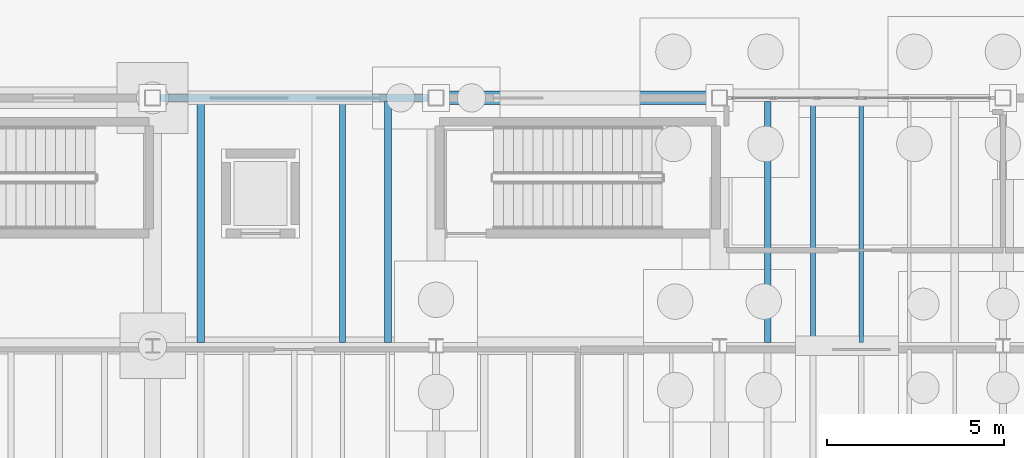
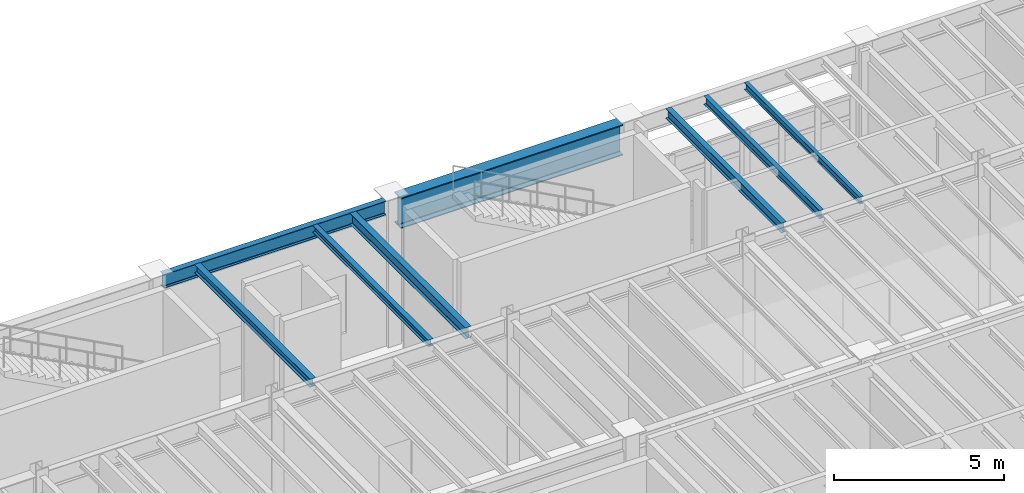
# One storey, part 34 of 86: 8 beams.
"""IFC4 building model written with IfcOpenShell, lengths in metres."""

import ifcopenshell
import ifcopenshell.guid

model = None  # the IFC model being written
_history = None  # IfcOwnerHistory: only IFC2X3 demands one
_inside = {}  # id of a spatial element -> (the spatial element, [elements in it])
_under = {}  # id of a project, library or spatial element -> (it, [spatial elements below it])
_declared = {}  # id of a project -> (the project, [libraries it declares])
_typed = {}  # id of a type object -> (the type object, [elements of that type])
_made_of = {}  # id of a material, layer set ... -> (it, [elements and type objects made of it])


def new_model(schema):
    """Start an empty IFC model of exactly this schema.

    Asked for "IFC4X3", IfcOpenShell would pick the latest addendum, in which some entities
    have other attributes; the version numbers below select the first issue.
    IFC2X3 requires an IfcOwnerHistory on every rooted entity: one is made here for all.
    """
    global model, _history
    if schema == "IFC4X3":
        model = ifcopenshell.file(schema_version=(4, 3, 0, 0))
    else:
        model = ifcopenshell.file(schema=schema)
    _inside.clear()
    _under.clear()
    _declared.clear()
    _typed.clear()
    _made_of.clear()
    _history = None
    if model.schema == "IFC2X3":
        org = make("IfcOrganization", Name="unknown")
        user = make(
            "IfcPersonAndOrganization",
            ThePerson=make("IfcPerson", FamilyName="unknown"),
            TheOrganization=org,
        )
        app = make(
            "IfcApplication",
            ApplicationDeveloper=org,
            Version="unknown",
            ApplicationFullName="unknown",
            ApplicationIdentifier="unknown",
        )
        _history = make(
            "IfcOwnerHistory",
            OwningUser=user,
            OwningApplication=app,
            ChangeAction="ADDED",
            CreationDate=0,
        )
    return model


def make(cls, **values):
    """One entity of the class cls with the attributes given. An attribute that is None is left unset."""
    return model.create_entity(
        cls, **{name: value for name, value in values.items() if value is not None}
    )


def rooted(cls, **values):
    """An entity with a GlobalId (a new one), such as an element, a storey or a relation."""
    return make(cls, GlobalId=ifcopenshell.guid.new(), OwnerHistory=_history, **values)


def si_unit(unit_type, name, prefix=None):
    """IfcSIUnit, for example si_unit("LENGTHUNIT", "METRE", prefix="MILLI")."""
    return make("IfcSIUnit", UnitType=unit_type, Prefix=prefix, Name=name)


def assignment(units):
    """IfcUnitAssignment: the units of a project."""
    return None if units is None else make("IfcUnitAssignment", Units=units)


def point(xyz):
    """IfcCartesianPoint."""
    return None if xyz is None else make("IfcCartesianPoint", Coordinates=xyz)


def direction(xyz):
    """IfcDirection."""
    return None if xyz is None else make("IfcDirection", DirectionRatios=xyz)


def frame(location, z_axis=None, x_axis=None):
    """IfcAxis2Placement3D, a coordinate frame: its origin and axes. An axis left out is left unset."""
    return make(
        "IfcAxis2Placement3D",
        Location=point(location),
        Axis=direction(z_axis),
        RefDirection=direction(x_axis),
    )


def frame_2d(location, x_axis=None):
    """IfcAxis2Placement2D, a coordinate frame in the plane: its origin and x axis."""
    return make(
        "IfcAxis2Placement2D", Location=point(location), RefDirection=direction(x_axis)
    )


def origin():
    """The frame at (0, 0, 0) with its axes left unset."""
    return frame((0.0, 0.0, 0.0))


def origin_2d():
    """The frame at (0, 0) in the plane with its x axis left unset."""
    return frame_2d((0.0, 0.0))


def place(relative_to, where):
    """IfcLocalPlacement: puts the frame where relative to a parent placement (None: the world)."""
    return make(
        "IfcLocalPlacement", PlacementRelTo=relative_to, RelativePlacement=where
    )


def context(
    kind, dimensions, precision=None, world=None, true_north=None, identifier=None
):
    """IfcGeometricRepresentationContext, for example the 3D "Model" context."""
    return make(
        "IfcGeometricRepresentationContext",
        ContextIdentifier=identifier,
        ContextType=kind,
        CoordinateSpaceDimension=dimensions,
        Precision=precision,
        WorldCoordinateSystem=world,
        TrueNorth=true_north,
    )


def subcontext(parent, identifier, kind, view, scale=None):
    """IfcGeometricRepresentationSubContext, for example "Body" below "Model"."""
    return make(
        "IfcGeometricRepresentationSubContext",
        ContextIdentifier=identifier,
        ContextType=kind,
        ParentContext=parent,
        TargetScale=scale,
        TargetView=view,
    )


def project(units=None, contexts=None):
    """IfcProject with its units and contexts."""
    return rooted(
        "IfcProject",
        Name="project",
        RepresentationContexts=contexts,
        UnitsInContext=assignment(units),
    )


def spatial(cls, under=None, at=None, **own):
    """A site, building, storey or space (cls), placed at a placement, below another one or the project."""
    s = rooted(cls, ObjectPlacement=at, **own)
    if under is not None:
        _under.setdefault(under.id(), (under, []))[1].append(s)
    return s


def profile(cls, at=None, kind="AREA", **sizes):
    """A parametric profile (cls). Its sizes go by their IFC names, for example OverallWidth=200.0."""
    return make(cls, ProfileType=kind, Position=at, **sizes)


def i_section(**sizes):
    """IfcIShapeProfileDef."""
    return profile("IfcIShapeProfileDef", **sizes)


def extrude(swept, where, along, depth):
    """IfcExtrudedAreaSolid: the profile swept, set in the frame where, extruded along a direction by depth."""
    return make(
        "IfcExtrudedAreaSolid",
        SweptArea=swept,
        Position=where,
        ExtrudedDirection=direction(along),
        Depth=depth,
    )


def shape(context_of_items, identifier, shape_type, items):
    """IfcShapeRepresentation: the items that make up one representation, for example the "Body"."""
    return make(
        "IfcShapeRepresentation",
        ContextOfItems=context_of_items,
        RepresentationIdentifier=identifier,
        RepresentationType=shape_type,
        Items=items,
    )


def material(Name=None, Category=None):
    """IfcMaterial."""
    return make("IfcMaterial", Name=Name, Category=Category)


def material_profile(
    of_material, cross_section, Name=None, Category=None, Priority=None
):
    """IfcMaterialProfile: a cross section and its material."""
    return make(
        "IfcMaterialProfile",
        Name=Name,
        Material=of_material,
        Profile=cross_section,
        Priority=Priority,
        Category=Category,
    )


def profile_set(profiles, Name=None, composite=None):
    """IfcMaterialProfileSet."""
    return make(
        "IfcMaterialProfileSet",
        Name=Name,
        MaterialProfiles=profiles,
        CompositeProfile=composite,
    )


def made_of(thing, what):
    """Note that an element or type object is made of a material, layer set ...; save() writes the relation."""
    if what is not None:
        _made_of.setdefault(what.id(), (what, []))[1].append(thing)
    return thing


def type_object(cls, material=None, **own):
    """A type object (cls), such as IfcWallType, which elements share."""
    return made_of(rooted(cls, **own), material)


def element(
    cls,
    number,
    at=None,
    inside=None,
    cuts=None,
    type_object=None,
    material=None,
    context=None,
    identifier="Body",
    shape_type=None,
    held_by="IfcProductDefinitionShape",
    body=None,
    shapes=None,
    **own,
):
    """One element of the class cls, such as IfcWall. Its Tag is "e" and its number.

    at: its placement. inside: the storey or other place that contains it. cuts: it is an
    opening in that element (IfcRelVoidsElement). A single representation is given by context,
    identifier, shape_type and body (its items); several are given by shapes. held_by: the class
    of the entity that holds the representations. save() writes the other relations.
    """
    e = rooted(cls, Tag="e%d" % number, ObjectPlacement=at, **own)
    if body is not None:
        shapes = [shape(context, identifier, shape_type, body)]
    if shapes is not None:
        e.Representation = make(held_by, Representations=shapes)
    if inside is not None:
        _inside.setdefault(inside.id(), (inside, []))[1].append(e)
    if cuts is not None:
        rooted(
            "IfcRelVoidsElement", RelatingBuildingElement=cuts, RelatedOpeningElement=e
        )
    if type_object is not None:
        _typed.setdefault(type_object.id(), (type_object, []))[1].append(e)
    return made_of(e, material)


def aggregate(whole, parts):
    """IfcRelAggregates: a whole, such as a stair, and the parts it consists of."""
    return rooted("IfcRelAggregates", RelatingObject=whole, RelatedObjects=parts)


def save(model, path):
    """Write the relations noted so far, then the file.

    IfcRelAggregates (storeys below a building ...), IfcRelContainedInSpatialStructure (elements
    in a storey), IfcRelDefinesByType, IfcRelAssociatesMaterial and IfcRelDeclares: one each for
    every whole, place, type object, material and project.
    """
    for whole, parts in _under.values():
        aggregate(whole, parts)
    for where, things in _inside.values():
        rooted(
            "IfcRelContainedInSpatialStructure",
            RelatedElements=things,
            RelatingStructure=where,
        )
    for kind, things in _typed.values():
        rooted("IfcRelDefinesByType", RelatedObjects=things, RelatingType=kind)
    for what, things in _made_of.values():
        rooted("IfcRelAssociatesMaterial", RelatedObjects=things, RelatingMaterial=what)
    for by, libraries in _declared.values():
        rooted("IfcRelDeclares", RelatingContext=by, RelatedDefinitions=libraries)
    model.write(path)


model = new_model("IFC4")

# Units and contexts
model_context = context("Model", 3, precision=1e-05, world=origin(), true_north=direction((0.0, 1.0)))
body_context = subcontext(model_context, "Body", "Model", "MODEL_VIEW")
ifc_project = project(units=[si_unit("LENGTHUNIT", "METRE"), si_unit("AREAUNIT", "SQUARE_METRE"), si_unit("VOLUMEUNIT", "CUBIC_METRE"), si_unit("PLANEANGLEUNIT", "RADIAN"), si_unit("MASSUNIT", "GRAM", prefix="KILO"), si_unit("THERMODYNAMICTEMPERATUREUNIT", "KELVIN"), si_unit("POWERUNIT", "WATT")], contexts=[model_context])

# Site, building, storey
site_placement = place(None, origin())
site = spatial("IfcSite", under=ifc_project, at=site_placement, CompositionType="ELEMENT")
building_placement = place(site_placement, origin())
building = spatial("IfcBuilding", under=site, at=building_placement, Name="Zhenchuan Central Fire Station", CompositionType="ELEMENT")
storey_placement = place(building_placement, frame((0.0, 0.0, 0.449951171875)))
storey = spatial("IfcBuildingStorey", under=building, at=storey_placement, Name="L01", CompositionType="ELEMENT", Elevation=0.449951171875)

# Beams
ifc_material = material(Name="Steel Q355B", Category="steel")
ifc_material_profile_1 = material_profile(ifc_material, i_section(OverallWidth=0.3798828125, OverallDepth=1.10009765625, WebThickness=0.02001953125, FlangeThickness=0.035888671875, FilletRadius=0.02392578125, at=origin_2d()), Name="PG 1100x380")
ifc_profile_set_1 = profile_set([ifc_material_profile_1], Name="Steel Q355B")
beam_type_1 = type_object("IfcBeamType", Name="BM-PG1100-EXT", PredefinedType="BEAM", material=ifc_profile_set_1)
beam_1_placement = place(storey_placement, frame((32.22509765625, 56.5, 4.650146484375), z_axis=(1.0, 0.0, 0.0), x_axis=(0.0, 1.0, 0.0)))
element("IfcBeam", 1, at=beam_1_placement, inside=storey, type_object=beam_type_1, Name="L02 Girder EW 0098", PredefinedType="BEAM", context=body_context, shape_type="SweptSolid", body=[
    extrude(i_section(OverallWidth=0.3798828125, OverallDepth=1.10009765625, WebThickness=0.02001953125, FlangeThickness=0.035888671875, FilletRadius=0.02392578125, at=origin_2d()), origin(), (0.0, 0.0, 1.0), 7.5498046875),
])
ifc_material_profile_2 = material_profile(ifc_material, i_section(OverallWidth=0.175048828125, OverallDepth=0.243896484375, WebThickness=0.007080078125, FlangeThickness=0.010986328125, FilletRadius=0.012939453125, at=origin_2d()), Name="HM 244x175")
ifc_profile_set_2 = profile_set([ifc_material_profile_2], Name="Steel Q355B")
beam_type_2 = type_object("IfcBeamType", Name="JS-HM244", PredefinedType="JOIST", material=ifc_profile_set_2)
beam_2_placement = place(storey_placement, frame((29.360107421875, 49.596923828125, 5.078125), z_axis=(0.0, 1.0, 0.0), x_axis=(-1.0, 0.0, 0.0)))
element("IfcBeam", 2, at=beam_2_placement, inside=storey, type_object=beam_type_2, Name="L02 Secondary Joist 0280", PredefinedType="JOIST", context=body_context, shape_type="SweptSolid", body=[
    extrude(i_section(OverallWidth=0.175048828125, OverallDepth=0.243896484375, WebThickness=0.007080078125, FlangeThickness=0.010986328125, FilletRadius=0.012939453125, at=origin_2d()), origin(), (0.0, 0.0, 1.0), 6.80615234375),
])
ifc_material_profile_3 = material_profile(ifc_material, i_section(OverallWidth=0.199951171875, OverallDepth=0.2939453125, WebThickness=0.008056640625, FlangeThickness=0.011962890625, FilletRadius=0.01611328125, at=origin_2d()), Name="HM 294x200")
ifc_profile_set_3 = profile_set([ifc_material_profile_3], Name="Steel Q355B")
beam_type_3 = type_object("IfcBeamType", Name="JS-HM294", PredefinedType="JOIST", material=ifc_profile_set_3)
beam_3_placement = place(storey_placement, frame((25.360107421875, 49.596923828125, 5.052978515625), z_axis=(0.0, 1.0, 0.0), x_axis=(-1.0, 0.0, 0.0)))
element("IfcBeam", 3, at=beam_3_placement, inside=storey, type_object=beam_type_3, Name="L02 Secondary Joist 0279", PredefinedType="JOIST", context=body_context, shape_type="SweptSolid", body=[
    extrude(i_section(OverallWidth=0.199951171875, OverallDepth=0.2939453125, WebThickness=0.008056640625, FlangeThickness=0.011962890625, FilletRadius=0.01611328125, at=origin_2d()), origin(), (0.0, 0.0, 1.0), 6.80615234375),
])
ifc_material_profile_4 = material_profile(ifc_material, i_section(OverallWidth=0.125, OverallDepth=0.25, WebThickness=0.006103515625, FlangeThickness=0.009033203125, FilletRadius=0.011962890625, at=origin_2d()), Name="HN 250x125")
ifc_profile_set_4 = profile_set([ifc_material_profile_4], Name="Steel Q355B")
beam_type_4 = type_object("IfcBeamType", Name="JS-HN250", PredefinedType="JOIST", material=ifc_profile_set_4)
beam_4_placement = place(storey_placement, frame((44.0, 49.596923828125, 5.074951171875), z_axis=(0.0, 1.0, 0.0), x_axis=(-1.0, 0.0, 0.0)))
element("IfcBeam", 4, at=beam_4_placement, inside=storey, type_object=beam_type_4, Name="L02 Secondary Joist 0284", PredefinedType="JOIST", context=body_context, shape_type="SweptSolid", body=[
    extrude(i_section(OverallWidth=0.125, OverallDepth=0.25, WebThickness=0.006103515625, FlangeThickness=0.009033203125, FilletRadius=0.011962890625, at=origin_2d()), origin(), (0.0, 0.0, 1.0), 6.80615234375),
])
ifc_material_profile_5 = material_profile(ifc_material, i_section(OverallWidth=0.14990234375, OverallDepth=0.300048828125, WebThickness=0.006591796875, FlangeThickness=0.009033203125, FilletRadius=0.012939453125, at=origin_2d()), Name="HN 300x150")
ifc_profile_set_5 = profile_set([ifc_material_profile_5], Name="Steel Q355B")
beam_type_5 = type_object("IfcBeamType", Name="JS-HN300", PredefinedType="JOIST", material=ifc_profile_set_5)
beam_5_placement = place(storey_placement, frame((42.639892578125, 49.596923828125, 5.050048828125), z_axis=(0.0, 1.0, 0.0), x_axis=(-1.0, 0.0, 0.0)))
element("IfcBeam", 5, at=beam_5_placement, inside=storey, type_object=beam_type_5, Name="L02 Secondary Joist 0283", PredefinedType="JOIST", context=body_context, shape_type="SweptSolid", body=[
    extrude(i_section(OverallWidth=0.14990234375, OverallDepth=0.300048828125, WebThickness=0.006591796875, FlangeThickness=0.009033203125, FilletRadius=0.012939453125, at=origin_2d()), origin(), (0.0, 0.0, 1.0), 6.80615234375),
])
ifc_material_profile_6 = material_profile(ifc_material, i_section(OverallWidth=0.175048828125, OverallDepth=0.35009765625, WebThickness=0.007080078125, FlangeThickness=0.010986328125, FilletRadius=0.013916015625, at=origin_2d()), Name="HN 350x175")
ifc_profile_set_6 = profile_set([ifc_material_profile_6], Name="Steel Q355B")
beam_type_6 = type_object("IfcBeamType", Name="JS-HN350", PredefinedType="JOIST", material=ifc_profile_set_6)
beam_6_placement = place(storey_placement, frame((41.360107421875, 49.596923828125, 5.025146484375), z_axis=(0.0, 1.0, 0.0), x_axis=(-1.0, 0.0, 0.0)))
element("IfcBeam", 6, at=beam_6_placement, inside=storey, type_object=beam_type_6, Name="L02 Secondary Joist 0282", PredefinedType="JOIST", context=body_context, shape_type="SweptSolid", body=[
    extrude(i_section(OverallWidth=0.175048828125, OverallDepth=0.35009765625, WebThickness=0.007080078125, FlangeThickness=0.010986328125, FilletRadius=0.013916015625, at=origin_2d()), origin(), (0.0, 0.0, 1.0), 6.80615234375),
])
ifc_material_profile_7 = material_profile(ifc_material, i_section(OverallWidth=0.199951171875, OverallDepth=0.39990234375, WebThickness=0.008056640625, FlangeThickness=0.012939453125, FilletRadius=0.01611328125, at=origin_2d()), Name="HN 400x200")
ifc_profile_set_7 = profile_set([ifc_material_profile_7], Name="Steel Q355B")
beam_type_7 = type_object("IfcBeamType", Name="JS-HN400", PredefinedType="JOIST", material=ifc_profile_set_7)
beam_7_placement = place(storey_placement, frame((30.639892578125, 49.596923828125, 5.0), z_axis=(0.0, 1.0, 0.0), x_axis=(-1.0, 0.0, 0.0)))
element("IfcBeam", 7, at=beam_7_placement, inside=storey, type_object=beam_type_7, Name="L02 Secondary Joist 0281", PredefinedType="JOIST", context=body_context, shape_type="SweptSolid", body=[
    extrude(i_section(OverallWidth=0.199951171875, OverallDepth=0.39990234375, WebThickness=0.008056640625, FlangeThickness=0.012939453125, FilletRadius=0.01611328125, at=origin_2d()), origin(), (0.0, 0.0, 1.0), 6.80615234375),
])
ifc_material_profile_8 = material_profile(ifc_material, i_section(OverallWidth=0.199951171875, OverallDepth=0.5, WebThickness=0.010009765625, FlangeThickness=0.01611328125, FilletRadius=0.02001953125, at=origin_2d()), Name="HN 500x200")
ifc_profile_set_8 = profile_set([ifc_material_profile_8], Name="Steel Q355B")
beam_type_8 = type_object("IfcBeamType", Name="SP-HN500", PredefinedType="SPANDREL", material=ifc_profile_set_8)
beam_8_placement = place(storey_placement, frame((24.22509765625, 56.5, 4.949951171875), z_axis=(1.0, 0.0, 0.0), x_axis=(0.0, 1.0, 0.0)))
element("IfcBeam", 8, at=beam_8_placement, inside=storey, type_object=beam_type_8, Name="L02 Girder EW 0097", PredefinedType="SPANDREL", context=body_context, shape_type="SweptSolid", body=[
    extrude(i_section(OverallWidth=0.199951171875, OverallDepth=0.5, WebThickness=0.010009765625, FlangeThickness=0.01611328125, FilletRadius=0.02001953125, at=origin_2d()), origin(), (0.0, 0.0, 1.0), 7.5498046875),
])

save(model, "model.ifc")
